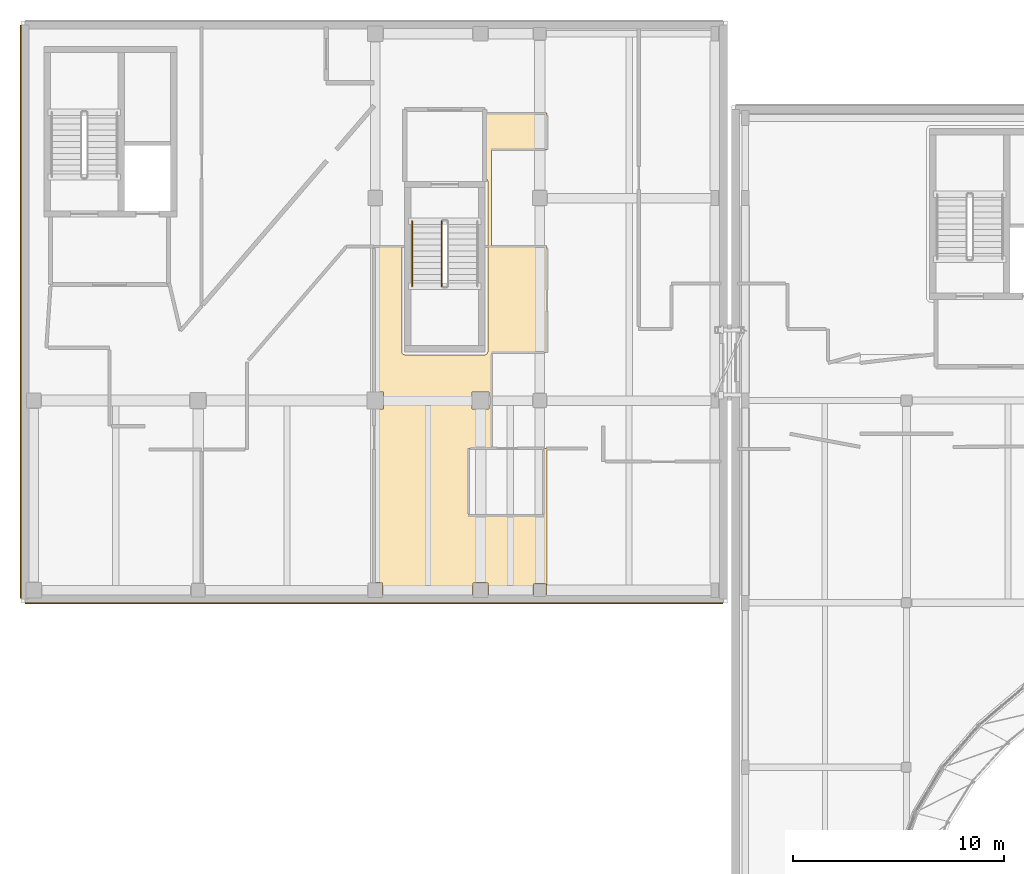
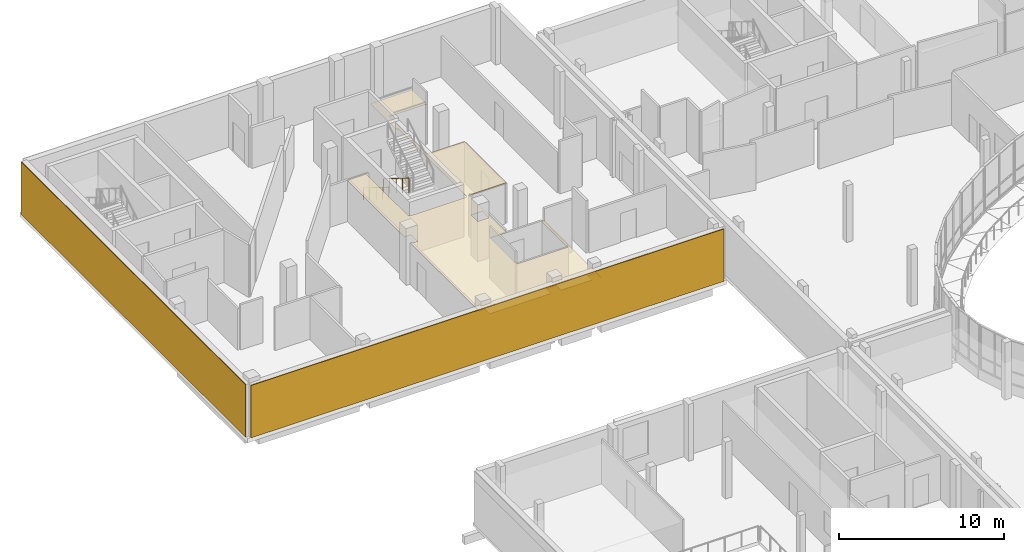
# One storey, part 63 of 73: 3 coverings, 2 railings.
"""IFC4 building model written with IfcOpenShell, lengths in metres."""

from ifc_helpers import new_model, si_unit, direction, frame, origin, origin_2d, place, context, subcontext, project, spatial, polyline, rectangle, circle, outline, extrude, material, layer, layer_set, type_object, element, save


model = new_model("IFC4")

# Units and contexts
model_context = context("Model", 3, precision=1e-05, world=origin(), true_north=direction((0.0, 1.0)))
body_context = subcontext(model_context, "Body", "Model", "MODEL_VIEW")
ifc_project = project(units=[si_unit("LENGTHUNIT", "METRE"), si_unit("AREAUNIT", "SQUARE_METRE"), si_unit("VOLUMEUNIT", "CUBIC_METRE"), si_unit("PLANEANGLEUNIT", "RADIAN"), si_unit("MASSUNIT", "GRAM", prefix="KILO")], contexts=[model_context])

# Site, building, storey
site_placement = place(None, origin())
site = spatial("IfcSite", under=ifc_project, at=site_placement, CompositionType="ELEMENT")
building_placement = place(site_placement, origin())
building = spatial("IfcBuilding", under=site, at=building_placement, Name="Mzevani Central Library", CompositionType="ELEMENT")
storey_placement = place(building_placement, frame((0.0, 0.0, 9.60009765625)))
storey = spatial("IfcBuildingStorey", under=building, at=storey_placement, Name="L02", CompositionType="ELEMENT", Elevation=9.60009765625)

# Railing
ifc_material_1 = material(Name="Brushed stainless steel rail", Category="steel")
railing_type_1 = type_object("IfcRailingType", Name="Interior Gallery and Stair Guard 1100", PredefinedType="BALUSTRADE", material=ifc_material_1)
railing_1_placement = place(storey_placement, frame((32.35009765625, 108.5, 0.1748046875)))
element("IfcRailing", 1, at=railing_1_placement, inside=storey, type_object=railing_type_1, Name="L02 ST-04 stair guard 1", PredefinedType="BALUSTRADE", context=body_context, shape_type="SweptSolid", body=[
    extrude(circle(Radius=0.02392578125, at=origin_2d()), frame((0.0, 0.0, 1.076171875), z_axis=(0.0, -0.847998304005, 0.529998940003), x_axis=(1.0, 0.0, 0.0)), (0.0, 0.0, 1.0), 3.632080078125),
    extrude(circle(Radius=0.02099609375, at=origin_2d()), origin(), (0.0, 0.0, 1.0), 1.052001953125),
    extrude(circle(Radius=0.02099609375, at=origin_2d()), frame((0.0, -0.77001953125, 0.481201171875)), (0.0, 0.0, 1.0), 1.052001953125),
    extrude(circle(Radius=0.02099609375, at=origin_2d()), frame((0.0, -1.5400390625, 0.96240234375)), (0.0, 0.0, 1.0), 1.052001953125),
    extrude(circle(Radius=0.02099609375, at=origin_2d()), frame((0.0, -2.31005859375, 1.44384765625)), (0.0, 0.0, 1.0), 1.052001953125),
    extrude(circle(Radius=0.02099609375, at=origin_2d()), frame((0.0, -3.080078125, 1.925048828125)), (0.0, 0.0, 1.0), 1.052001953125),
])

# Coverings
ifc_material_2 = material(Name="Limestone ashlar cladding", Category="masonry")
ifc_layer_1 = layer(ifc_material_2, 0.050048828125, Name="Limestone Ashlar Spandrel Cladding")
ifc_layer_set_1 = layer_set([ifc_layer_1], Name="Limestone ashlar cladding")
covering_type_1 = type_object("IfcCoveringType", Name="Limestone Ashlar Spandrel Cladding", PredefinedType="CLADDING", material=ifc_layer_set_1)
covering_1_placement = place(storey_placement, frame((29.14990234375, 90.3759765625, 0.0), z_axis=(0.0, 0.0, 1.0), x_axis=(-1.0, 0.0, 0.0)))
element("IfcCovering", 2, at=covering_1_placement, inside=storey, type_object=covering_type_1, Name="L02 Warm-White Facade Cladding (EW4-V2-L02-0024)", PredefinedType="CLADDING", context=body_context, shape_type="SweptSolid", body=[
    extrude(rectangle(XDim=33.080078125, YDim=0.050048828125, at=origin_2d()), origin(), (0.0, 0.0, 1.0), 3.8798828125),
])
covering_2_placement = place(storey_placement, frame((12.3759765625, 104.199951171875, 0.0), z_axis=(0.0, 0.0, 1.0), x_axis=(0.0, 1.0, 0.0)))
element("IfcCovering", 3, at=covering_2_placement, inside=storey, type_object=covering_type_1, Name="L02 Warm-White Facade Cladding (EW4-V2-L02-0025)", PredefinedType="CLADDING", context=body_context, shape_type="SweptSolid", body=[
    extrude(rectangle(XDim=27.179931640625, YDim=0.050048828125, at=origin_2d()), origin(), (0.0, 0.0, 1.0), 3.8798828125),
])
ifc_material_3 = material(Name="Mineral wool acoustic ceiling")
ifc_layer_2 = layer(ifc_material_3, 0.0400390625, Name="Perforated Timber Acoustic Ceiling")
ifc_layer_set_2 = layer_set([ifc_layer_2], Name="Mineral wool acoustic ceiling")
covering_type_2 = type_object("IfcCoveringType", Name="Perforated Timber Acoustic Ceiling", PredefinedType="CEILING", material=ifc_layer_set_2)
covering_3_placement = place(storey_placement, frame((0.0, 0.0, 2.949951171875)))
element("IfcCovering", 4, at=covering_3_placement, inside=storey, type_object=covering_type_2, Name="L02 Collection Curators Office Acoustic Ceiling", PredefinedType="CEILING", context=body_context, shape_type="SweptSolid", body=[
    extrude(outline(polyline([(30.4599609375, 107.301025390625), (30.4599609375, 102.3017578125), (30.491943359375, 102.212158203125), (30.602294921875, 102.159912109375), (34.398193359375, 102.159912109375), (34.48779296875, 102.19189453125), (34.5400390625, 102.30224609375), (34.5400390625, 110.39794921875), (34.498291015625, 110.498291015625), (34.389892578125, 110.550048828125), (34.39013671875, 113.6220703125), (37.342041015625, 113.627197265625), (37.340576171875, 111.8916015625), (34.7099609375, 111.889892578125), (34.7099609375, 107.31005859375), (37.34375, 107.3046875), (37.3447265625, 102.27294921875), (34.735107421875, 102.264892578125), (34.73486328125, 97.722900390625), (33.614990234375, 97.715087890625), (33.614990234375, 94.534912109375), (37.195068359375, 94.534912109375), (37.195068359375, 97.72509765625), (37.34375, 97.729736328125), (37.3388671875, 90.770751953125), (37.300048828125, 90.77001953125), (37.300048828125, 91.300048828125), (36.699951171875, 91.300048828125), (36.699951171875, 90.77001953125), (34.550048828125, 90.77001953125), (34.550048828125, 91.35009765625), (33.85009765625, 91.35009765625), (33.85009765625, 90.77001953125), (29.550048828125, 90.77001953125), (29.550048828125, 91.35009765625), (29.139892578125, 91.35009765625), (29.139892578125, 99.60009765625), (29.60009765625, 99.60009765625), (29.60009765625, 100.39990234375), (29.139892578125, 100.39990234375), (29.139892578125, 107.301025390625), (30.4599609375, 107.301025390625)]), holes=[polyline([(33.800048828125, 100.39990234375), (33.800048828125, 99.60009765625), (34.60009765625, 99.60009765625), (34.60009765625, 100.39990234375), (33.800048828125, 100.39990234375)])]), origin(), (0.0, 0.0, 1.0), 0.0400390625),
])

# Railing
railing_type_2 = type_object("IfcRailingType", Name="Stair Wall Handrail 920", PredefinedType="HANDRAIL", material=ifc_material_1)
railing_2_placement = place(storey_placement, frame((30.949951171875, 108.5, 0.1748046875)))
element("IfcRailing", 5, at=railing_2_placement, inside=storey, type_object=railing_type_2, Name="L02 ST-04 stair handrail 1", PredefinedType="HANDRAIL", context=body_context, shape_type="SweptSolid", body=[
    extrude(circle(Radius=0.02392578125, at=origin_2d()), frame((0.0, 0.0, 0.89599609375), z_axis=(0.0, -0.847998304005, 0.529998940003), x_axis=(1.0, 0.0, 0.0)), (0.0, 0.0, 1.0), 3.632080078125),
    extrude(circle(Radius=0.02099609375, at=origin_2d()), origin(), (0.0, 0.0, 1.0), 0.871826171875),
    extrude(circle(Radius=0.02099609375, at=origin_2d()), frame((0.0, -0.77001953125, 0.481201171875)), (0.0, 0.0, 1.0), 0.871826171875),
    extrude(circle(Radius=0.02099609375, at=origin_2d()), frame((0.0, -1.5400390625, 0.96240234375)), (0.0, 0.0, 1.0), 0.871826171875),
    extrude(circle(Radius=0.02099609375, at=origin_2d()), frame((0.0, -2.31005859375, 1.44384765625)), (0.0, 0.0, 1.0), 0.871826171875),
    extrude(circle(Radius=0.02099609375, at=origin_2d()), frame((0.0, -3.080078125, 1.925048828125)), (0.0, 0.0, 1.0), 0.871826171875),
])

save(model, "model.ifc")
